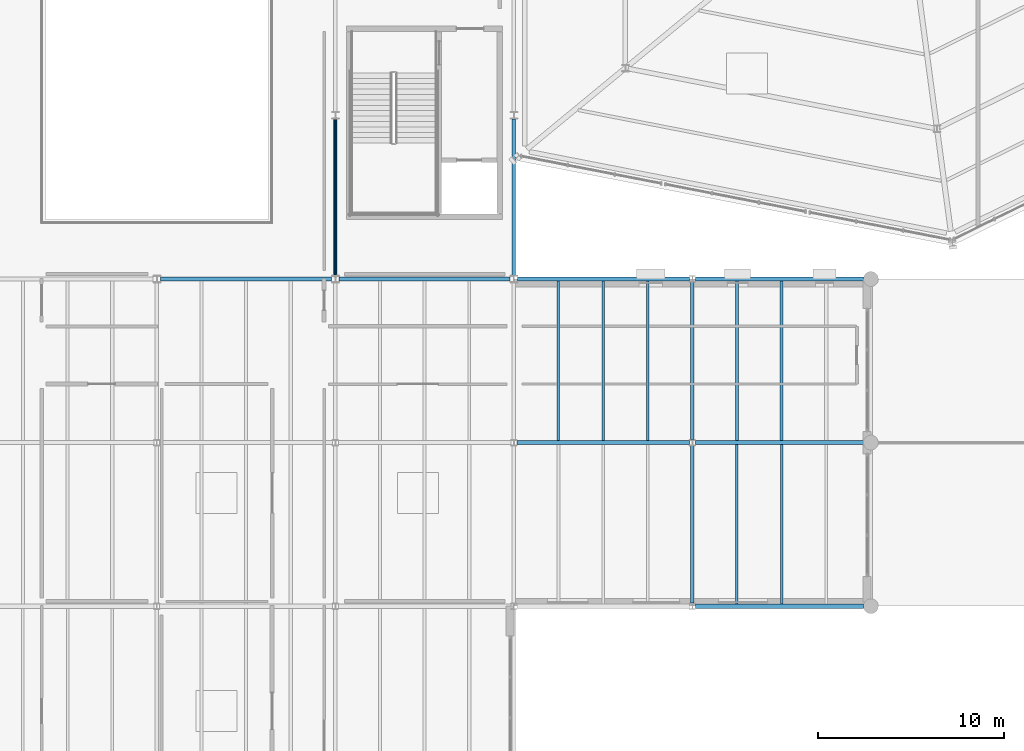
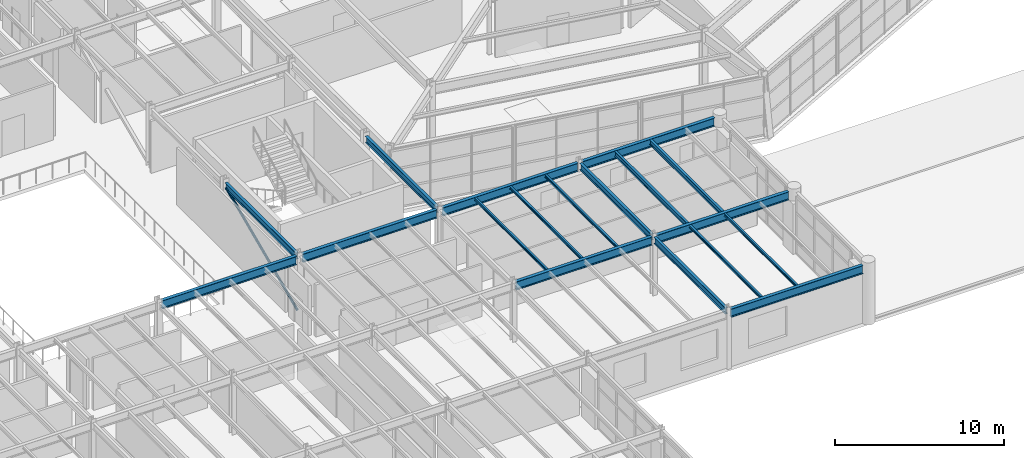
# One storey, part 28 of 77: 18 beams, 1 member.
"""IFC4 building model written with IfcOpenShell, lengths in metres."""

from ifc_helpers import new_model, si_unit, direction, frame, origin, origin_2d, place, context, subcontext, project, spatial, hollow_circle, i_section, extrude, material, material_profile, profile_set, type_object, element, save


model = new_model("IFC4")

# Units and contexts
model_context = context("Model", 3, precision=1e-05, world=origin(), true_north=direction((0.0, 1.0)))
body_context = subcontext(model_context, "Body", "Model", "MODEL_VIEW")
ifc_project = project(units=[si_unit("LENGTHUNIT", "METRE"), si_unit("AREAUNIT", "SQUARE_METRE"), si_unit("VOLUMEUNIT", "CUBIC_METRE"), si_unit("PLANEANGLEUNIT", "RADIAN"), si_unit("MASSUNIT", "GRAM", prefix="KILO")], contexts=[model_context])

# Site, building, storey
site_placement = place(None, origin())
site = spatial("IfcSite", under=ifc_project, at=site_placement, CompositionType="ELEMENT")
building_placement = place(site_placement, origin())
building = spatial("IfcBuilding", under=site, at=building_placement, Name="Sarnbrook Museum", CompositionType="ELEMENT")
storey_placement = place(building_placement, frame((0.0, 0.0, 5.60009765625)))
storey = spatial("IfcBuildingStorey", under=building, at=storey_placement, Name="L01", CompositionType="ELEMENT", Elevation=5.60009765625)

# Beams
ifc_material_1 = material(Name="Structural Steel Grade 300PLUS (AS/NZS 3679.1, fy = 280 MPa for 17 < t <= 40 mm, 300 MPa for t <= 17 mm)", Category="steel")
ifc_material_profile_1 = material_profile(ifc_material_1, i_section(OverallWidth=0.18994140625, OverallDepth=0.45703125, WebThickness=0.009033203125, FlangeThickness=0.014404296875, FilletRadius=0.011474609375, at=origin_2d()), Name="460UB74.6")
ifc_profile_set_1 = profile_set([ifc_material_profile_1], Name="Structural Steel Grade 300PLUS (AS/NZS 3679.1, fy = 280 MPa for 17 < t <= 40 mm, 300 MPa for t <= 17 mm)")
beam_type_1 = type_object("IfcBeamType", Name="BM-UB460", PredefinedType="BEAM", material=ifc_profile_set_1)
for number, where, z_axis, x_axis, name in (
    (1, (109.60009765625, 56.990966796875, 4.021484375), (0.0, 1.0, 0.0), (-1.0, 0.0, 0.0), "Girder 12:G-H L01"),
    (2, (119.199951171875, 56.990966796875, 4.021484375), (0.0, 1.0, 0.0), (-1.0, 0.0, 0.0), "Girder 13:G-H L01"),
):
    element("IfcBeam", number, at=place(storey_placement, frame(where, z_axis=z_axis, x_axis=x_axis)), inside=storey, type_object=beam_type_1, Name=name, PredefinedType="BEAM", context=body_context, shape_type="SweptSolid", body=[
        extrude(i_section(OverallWidth=0.18994140625, OverallDepth=0.45703125, WebThickness=0.009033203125, FlangeThickness=0.014404296875, FilletRadius=0.011474609375, at=origin_2d()), origin(), (0.0, 0.0, 1.0), 8.41796875),
    ])
for number, where, z_axis, x_axis, name in (
    (3, (128.800048828125, 39.363525390625, 4.021484375), (0.0, 1.0, 0.0), (-1.0, 0.0, 0.0), "Girder 14:E-F L01"),
    (4, (128.800048828125, 48.16357421875, 4.021484375), (0.0, 1.0, 0.0), (-1.0, 0.0, 0.0), "Girder 14:F-G L01"),
):
    element("IfcBeam", number, at=place(storey_placement, frame(where, z_axis=z_axis, x_axis=x_axis)), inside=storey, type_object=beam_type_1, Name=name, PredefinedType="BEAM", context=body_context, shape_type="SweptSolid", body=[
        extrude(i_section(OverallWidth=0.18994140625, OverallDepth=0.45703125, WebThickness=0.009033203125, FlangeThickness=0.014404296875, FilletRadius=0.011474609375, at=origin_2d()), origin(), (0.0, 0.0, 1.0), 8.472900390625),
    ])
ifc_material_profile_2 = material_profile(ifc_material_1, i_section(OverallWidth=0.22802734375, OverallDepth=0.60693359375, WebThickness=0.01123046875, FlangeThickness=0.017333984375, FilletRadius=0.013916015625, at=origin_2d()), Name="610UB113")
ifc_profile_set_2 = profile_set([ifc_material_profile_2], Name="Structural Steel Grade 300PLUS (AS/NZS 3679.1, fy = 280 MPa for 17 < t <= 40 mm, 300 MPa for t <= 17 mm)")
beam_type_2 = type_object("IfcBeamType", Name="BM-UB610", PredefinedType="BEAM", material=ifc_profile_set_2)
beam_1_placement = place(storey_placement, frame((128.95556640625, 39.199951171875, 3.9462890625), z_axis=(1.0, 0.0, 0.0), x_axis=(0.0, 1.0, 0.0)))
element("IfcBeam", 5, at=beam_1_placement, inside=storey, type_object=beam_type_2, Name="Girder E:14-15 L01", PredefinedType="BEAM", context=body_context, shape_type="SweptSolid", body=[
    extrude(i_section(OverallWidth=0.22802734375, OverallDepth=0.60693359375, WebThickness=0.01123046875, FlangeThickness=0.017333984375, FilletRadius=0.013916015625, at=origin_2d()), origin(), (0.0, 0.0, 1.0), 9.04443359375),
])
beam_2_placement = place(storey_placement, frame((119.35546875, 48.0, 3.9462890625), z_axis=(1.0, 0.0, 0.0), x_axis=(0.0, 1.0, 0.0)))
element("IfcBeam", 6, at=beam_2_placement, inside=storey, type_object=beam_type_2, Name="Girder F:13-14 L01", PredefinedType="BEAM", context=body_context, shape_type="SweptSolid", body=[
    extrude(i_section(OverallWidth=0.22802734375, OverallDepth=0.60693359375, WebThickness=0.01123046875, FlangeThickness=0.017333984375, FilletRadius=0.013916015625, at=origin_2d()), origin(), (0.0, 0.0, 1.0), 9.2890625),
])
beam_3_placement = place(storey_placement, frame((128.95556640625, 48.0, 3.9462890625), z_axis=(1.0, 0.0, 0.0), x_axis=(0.0, 1.0, 0.0)))
element("IfcBeam", 7, at=beam_3_placement, inside=storey, type_object=beam_type_2, Name="Girder F:14-15 L01", PredefinedType="BEAM", context=body_context, shape_type="SweptSolid", body=[
    extrude(i_section(OverallWidth=0.22802734375, OverallDepth=0.60693359375, WebThickness=0.01123046875, FlangeThickness=0.017333984375, FilletRadius=0.013916015625, at=origin_2d()), origin(), (0.0, 0.0, 1.0), 9.04443359375),
])
for number, where, z_axis, x_axis, name in (
    (8, (100.199951171875, 56.800048828125, 3.9462890625), (1.0, 0.0, 0.0), (0.0, 1.0, 0.0), "Girder G:11-12 L01"),
    (9, (109.800048828125, 56.800048828125, 3.9462890625), (1.0, 0.0, 0.0), (0.0, 1.0, 0.0), "Girder G:12-13 L01"),
):
    element("IfcBeam", number, at=place(storey_placement, frame(where, z_axis=z_axis, x_axis=x_axis)), inside=storey, type_object=beam_type_2, Name=name, PredefinedType="BEAM", context=body_context, shape_type="SweptSolid", body=[
        extrude(i_section(OverallWidth=0.22802734375, OverallDepth=0.60693359375, WebThickness=0.01123046875, FlangeThickness=0.017333984375, FilletRadius=0.013916015625, at=origin_2d()), origin(), (0.0, 0.0, 1.0), 9.199951171875),
    ])
beam_4_placement = place(storey_placement, frame((119.39990234375, 56.800048828125, 3.9462890625), z_axis=(1.0, 0.0, 0.0), x_axis=(0.0, 1.0, 0.0)))
element("IfcBeam", 10, at=beam_4_placement, inside=storey, type_object=beam_type_2, Name="Girder G:13-14 L01", PredefinedType="BEAM", context=body_context, shape_type="SweptSolid", body=[
    extrude(i_section(OverallWidth=0.22802734375, OverallDepth=0.60693359375, WebThickness=0.01123046875, FlangeThickness=0.017333984375, FilletRadius=0.013916015625, at=origin_2d()), origin(), (0.0, 0.0, 1.0), 9.24462890625),
])
beam_5_placement = place(storey_placement, frame((128.95556640625, 56.800048828125, 3.9462890625), z_axis=(1.0, 0.0, 0.0), x_axis=(0.0, 1.0, 0.0)))
element("IfcBeam", 11, at=beam_5_placement, inside=storey, type_object=beam_type_2, Name="Girder G:14-15 L01", PredefinedType="BEAM", context=body_context, shape_type="SweptSolid", body=[
    extrude(i_section(OverallWidth=0.22802734375, OverallDepth=0.60693359375, WebThickness=0.01123046875, FlangeThickness=0.017333984375, FilletRadius=0.013916015625, at=origin_2d()), origin(), (0.0, 0.0, 1.0), 9.04443359375),
])
ifc_material_profile_3 = material_profile(ifc_material_1, i_section(OverallWidth=0.134033203125, OverallDepth=0.20703125, WebThickness=0.00634765625, FlangeThickness=0.009521484375, FilletRadius=0.0087890625, at=origin_2d()), Name="200UB29.8")
ifc_profile_set_3 = profile_set([ifc_material_profile_3], Name="Structural Steel Grade 300PLUS (AS/NZS 3679.1, fy = 280 MPa for 17 < t <= 40 mm, 300 MPa for t <= 17 mm)")
beam_type_3 = type_object("IfcBeamType", Name="JS-UB200", PredefinedType="JOIST", material=ifc_profile_set_3)
for number, where, z_axis, x_axis, name in (
    (12, (121.60009765625, 48.114013671875, 4.146484375), (0.0, 1.0, 0.0), (-1.0, 0.0, 0.0), "Composite Floor Joist 13F-1 L01"),
    (13, (124.0, 48.114013671875, 4.146484375), (0.0, 1.0, 0.0), (-1.0, 0.0, 0.0), "Composite Floor Joist 13F-2 L01"),
    (14, (126.39990234375, 48.114013671875, 4.146484375), (0.0, 1.0, 0.0), (-1.0, 0.0, 0.0), "Composite Floor Joist 13F-3 L01"),
    (15, (131.199951171875, 39.31396484375, 4.146484375), (0.0, 1.0, 0.0), (-1.0, 0.0, 0.0), "Composite Floor Joist 14E-1 L01"),
    (16, (133.60009765625, 39.31396484375, 4.146484375), (0.0, 1.0, 0.0), (-1.0, 0.0, 0.0), "Composite Floor Joist 14E-2 L01"),
):
    element("IfcBeam", number, at=place(storey_placement, frame(where, z_axis=z_axis, x_axis=x_axis)), inside=storey, type_object=beam_type_3, Name=name, PredefinedType="JOIST", context=body_context, shape_type="SweptSolid", body=[
        extrude(i_section(OverallWidth=0.134033203125, OverallDepth=0.20703125, WebThickness=0.00634765625, FlangeThickness=0.009521484375, FilletRadius=0.0087890625, at=origin_2d()), origin(), (0.0, 0.0, 1.0), 8.572021484375),
    ])
ifc_material_profile_4 = material_profile(ifc_material_1, i_section(OverallWidth=0.1708984375, OverallDepth=0.35595703125, WebThickness=0.00732421875, FlangeThickness=0.011474609375, FilletRadius=0.011474609375, at=origin_2d()), Name="360UB50.7")
ifc_profile_set_4 = profile_set([ifc_material_profile_4], Name="Structural Steel Grade 300PLUS (AS/NZS 3679.1, fy = 280 MPa for 17 < t <= 40 mm, 300 MPa for t <= 17 mm)")
beam_type_4 = type_object("IfcBeamType", Name="JS-UB360", PredefinedType="JOIST", material=ifc_profile_set_4)
for number, where, z_axis, x_axis, name in (
    (17, (131.199951171875, 48.114013671875, 4.072021484375), (0.0, 1.0, 0.0), (-1.0, 0.0, 0.0), "Composite Floor Joist 14F-1 L01"),
    (18, (133.60009765625, 48.114013671875, 4.072021484375), (0.0, 1.0, 0.0), (-1.0, 0.0, 0.0), "Composite Floor Joist 14F-2 L01"),
):
    element("IfcBeam", number, at=place(storey_placement, frame(where, z_axis=z_axis, x_axis=x_axis)), inside=storey, type_object=beam_type_4, Name=name, PredefinedType="JOIST", context=body_context, shape_type="SweptSolid", body=[
        extrude(i_section(OverallWidth=0.1708984375, OverallDepth=0.35595703125, WebThickness=0.00732421875, FlangeThickness=0.011474609375, FilletRadius=0.011474609375, at=origin_2d()), origin(), (0.0, 0.0, 1.0), 8.572021484375),
    ])

# Member
ifc_material_2 = material(Name="Structural Steel Hollow Section Grade C350L0 (AS/NZS 1163, fy = 350 MPa)", Category="steel")
ifc_material_profile_5 = material_profile(ifc_material_2, hollow_circle(Radius=0.084228515625, WallThickness=0.007080078125, at=origin_2d()), Name="168.3x7.1CHS")
ifc_profile_set_5 = profile_set([ifc_material_profile_5], Name="Structural Steel Hollow Section Grade C350L0 (AS/NZS 1163, fy = 350 MPa)")
member_type = type_object("IfcMemberType", Name="MB-CHS168", PredefinedType="BRACE", material=ifc_profile_set_5)
member_placement = place(storey_placement, frame((109.60009765625, 56.97998046875, 0.119873046875), z_axis=(0.0, 0.914658395799, 0.404227682124), x_axis=(-1.0, 0.0, 0.0)))
element("IfcMember", 19, at=member_placement, inside=storey, type_object=member_type, Name="Lateral Diagonal Brace CBF-2 L01", PredefinedType="BRACE", context=body_context, shape_type="SweptSolid", body=[
    extrude(hollow_circle(Radius=0.084228515625, WallThickness=0.007080078125, at=origin_2d()), origin(), (0.0, 0.0, 1.0), 9.2275390625),
])

save(model, "model.ifc")
